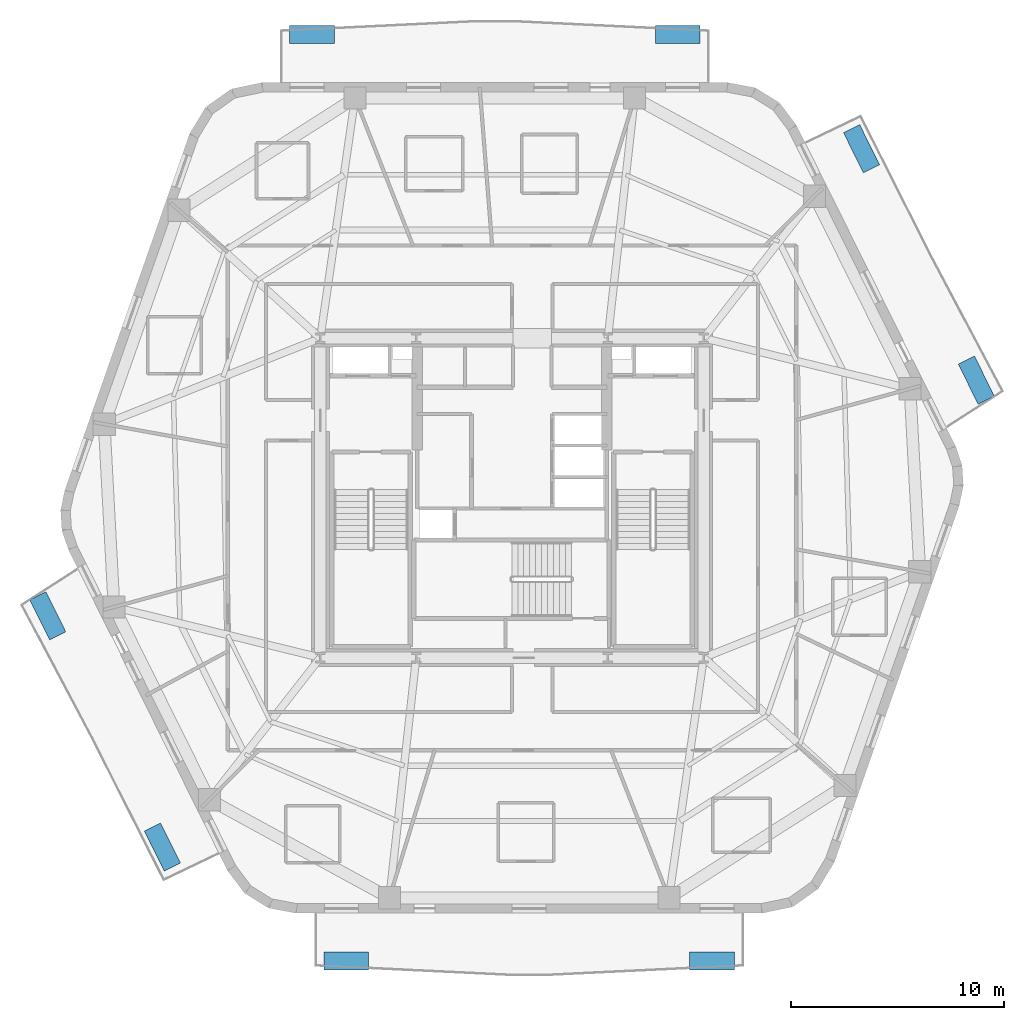
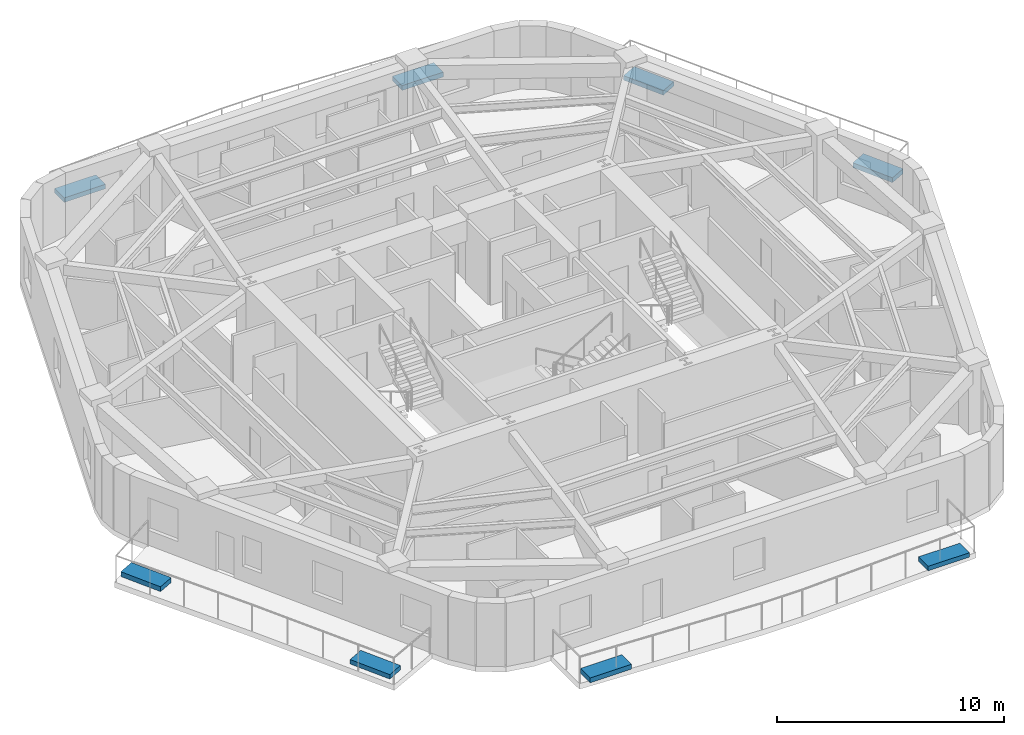
# One storey, part 7 of 10: 8 discrete accessories.
"""IFC4 building model written with IfcOpenShell, lengths in metres."""

from ifc_helpers import new_model, si_unit, direction, frame, origin, origin_2d, place, context, subcontext, project, spatial, rectangle, extrude, material, type_object, element, save


model = new_model("IFC4")

# Units and contexts
model_context = context("Model", 3, precision=1e-05, world=origin(), true_north=direction((0.0, 1.0)))
body_context = subcontext(model_context, "Body", "Model", "MODEL_VIEW")
ifc_project = project(units=[si_unit("LENGTHUNIT", "METRE"), si_unit("AREAUNIT", "SQUARE_METRE"), si_unit("VOLUMEUNIT", "CUBIC_METRE"), si_unit("PLANEANGLEUNIT", "RADIAN"), si_unit("MASSUNIT", "GRAM", prefix="KILO")], contexts=[model_context])

# Site, building, storey
site_placement = place(None, origin())
site = spatial("IfcSite", under=ifc_project, at=site_placement, CompositionType="ELEMENT")
building_placement = place(site_placement, origin())
building = spatial("IfcBuilding", under=site, at=building_placement, Name="Kilnhurst Terrace Hotel", CompositionType="ELEMENT")
storey_placement = place(building_placement, frame((0.0, 0.0, 155.39990234375)))
storey = spatial("IfcBuildingStorey", under=building, at=storey_placement, Name="L38", CompositionType="ELEMENT", Elevation=155.39990234375)

# Discrete accessories
ifc_material_1 = material(Name="Precast Concrete C40/50 Shrub Planter", Category="concrete")
discrete_accessory_type_1 = type_object("IfcDiscreteAccessoryType", Name="PLN-SHRUB-240", PredefinedType="USERDEFINED", material=ifc_material_1)
for number, where, z_axis, x_axis, name in (
    (1, (16.414306640625, 16.393310546875, 0.0), (0.0, 0.0, 1.0), (-0.444244308887, 0.895905683664, 0.0), "L38 Structural Tree Planter Box PLANTER BAL-L1A.2"),
    (2, (-9.3935546875, 21.75, 0.0), (0.0, 0.0, 1.0), (-1.0, 0.0, 0.0), "L38 Structural Tree Planter Box PLANTER BAL-L1B.2"),
    (3, (-16.414306640625, -16.393310546875, 0.0), (0.0, 0.0, 1.0), (0.444244308887, -0.895905683664, 0.0), "L38 Structural Tree Planter Box PLANTER BAL-L2A.2"),
    (4, (9.3935546875, -21.75, 0.0), (0.0, 0.0, 1.0), (1.0, 0.0, 0.0), "L38 Structural Tree Planter Box PLANTER BAL-L2B.2"),
):
    element("IfcDiscreteAccessory", number, at=place(storey_placement, frame(where, z_axis=z_axis, x_axis=x_axis)), inside=storey, type_object=discrete_accessory_type_1, Name=name, ObjectType="PLANTER", PredefinedType="USERDEFINED", context=body_context, shape_type="SweptSolid", body=[
        extrude(rectangle(XDim=2.10009765625, YDim=0.85009765625, at=origin_2d()), origin(), (0.0, 0.0, 1.0), 0.239990234375),
    ])
ifc_material_2 = material(Name="Precast Concrete C40/50 Tree Planter", Category="concrete")
discrete_accessory_type_2 = type_object("IfcDiscreteAccessoryType", Name="PLN-TREE-260", PredefinedType="USERDEFINED", material=ifc_material_2)
for number, where, z_axis, x_axis, name in (
    (5, (21.79833984375, 5.535400390625, 0.0), (0.0, 0.0, 1.0), (-0.444244308887, 0.895905683664, 0.0), "L38 Structural Tree Planter Box PLANTER BAL-L1A.1"),
    (6, (7.779296875, 21.75, 0.0), (0.0, 0.0, 1.0), (-1.0, 0.0, 0.0), "L38 Structural Tree Planter Box PLANTER BAL-L1B.1"),
    (7, (-21.79833984375, -5.535400390625, 0.0), (0.0, 0.0, 1.0), (0.444244308887, -0.895905683664, 0.0), "L38 Structural Tree Planter Box PLANTER BAL-L2A.1"),
    (8, (-7.779296875, -21.75, 0.0), (0.0, 0.0, 1.0), (1.0, 0.0, 0.0), "L38 Structural Tree Planter Box PLANTER BAL-L2B.1"),
):
    element("IfcDiscreteAccessory", number, at=place(storey_placement, frame(where, z_axis=z_axis, x_axis=x_axis)), inside=storey, type_object=discrete_accessory_type_2, Name=name, ObjectType="PLANTER", PredefinedType="USERDEFINED", context=body_context, shape_type="SweptSolid", body=[
        extrude(rectangle(XDim=2.10009765625, YDim=0.85009765625, at=origin_2d()), origin(), (0.0, 0.0, 1.0), 0.260009765625),
    ])

save(model, "model.ifc")
